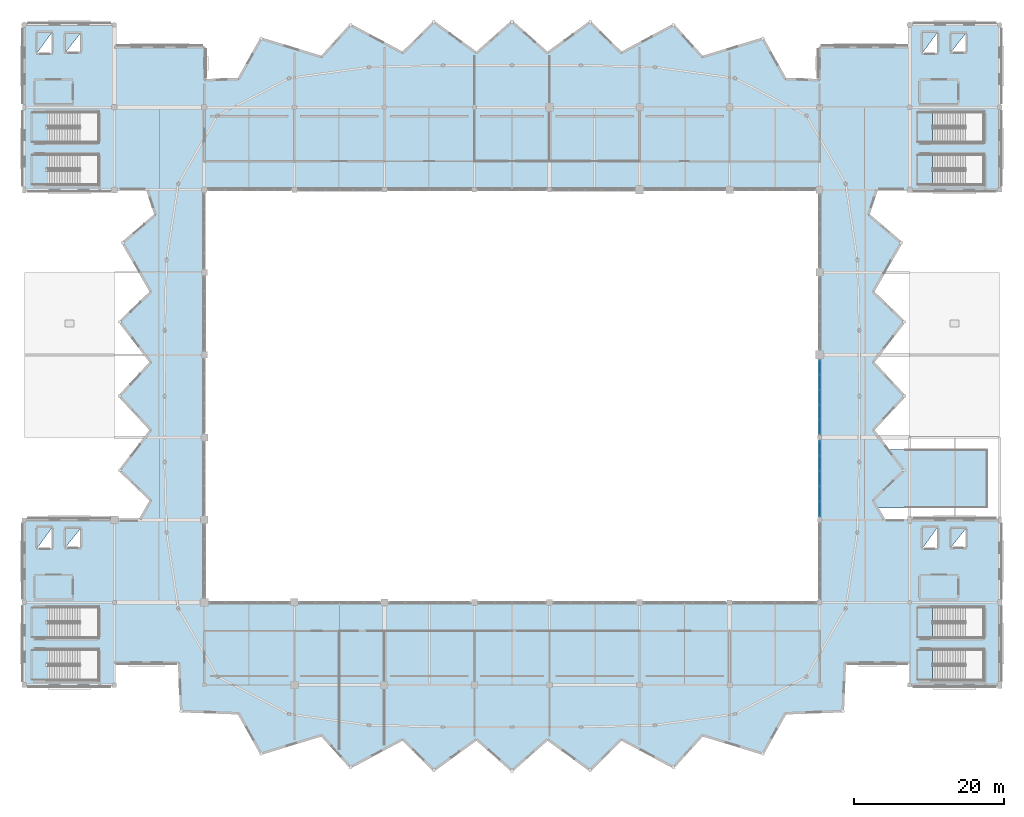
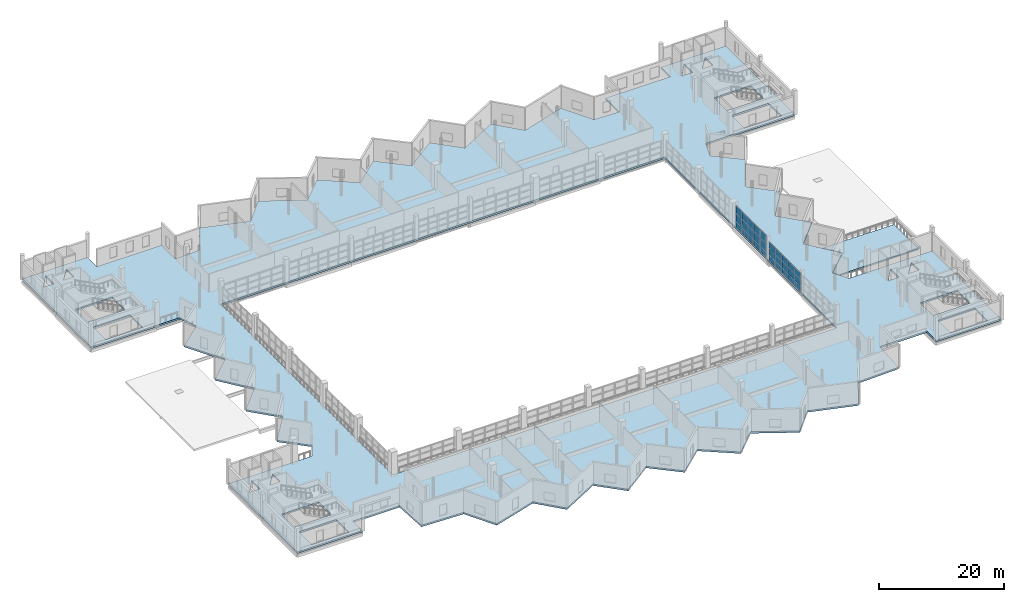
# One storey, part 31 of 53: 30 plates, 2 slabs, 2 elements without a shape of their own.
"""IFC4 building model written with IfcOpenShell, lengths in metres."""

from ifc_helpers import new_model, si_unit, direction, frame, origin, origin_2d, place, context, subcontext, project, spatial, polyline, rectangle, outline, extrude, material, layer, layer_set, type_object, element, aggregate, save


model = new_model("IFC4")

# Units and contexts
model_context = context("Model", 3, precision=1e-05, world=origin(), true_north=direction((0.0, 1.0)))
body_context = subcontext(model_context, "Body", "Model", "MODEL_VIEW")
ifc_project = project(units=[si_unit("LENGTHUNIT", "METRE"), si_unit("AREAUNIT", "SQUARE_METRE"), si_unit("VOLUMEUNIT", "CUBIC_METRE"), si_unit("PLANEANGLEUNIT", "RADIAN"), si_unit("MASSUNIT", "GRAM", prefix="KILO")], contexts=[model_context])

# Site, building, storey
site_placement = place(None, origin())
site = spatial("IfcSite", under=ifc_project, at=site_placement, CompositionType="ELEMENT")
building_placement = place(site_placement, origin())
building = spatial("IfcBuilding", under=site, at=building_placement, Name="Luwafu Chhajja Arena", CompositionType="ELEMENT")
storey_placement = place(building_placement, frame((0.0, 0.0, 19.5)))
storey = spatial("IfcBuildingStorey", under=building, at=storey_placement, Name="L04", CompositionType="ELEMENT", Elevation=19.5)

# Curtain wall, plates
ifc_material_1 = material(Name="Anodised bronze aluminium", Category="aluminium")
curtain_wall_type = type_object("IfcCurtainWallType", Name="Media Ribbon Curtain Wall", PredefinedType="USERDEFINED", material=ifc_material_1)
curtain_wall_1_placement = place(storey_placement, origin())
curtain_wall_1 = element("IfcCurtainWall", 1, at=curtain_wall_1_placement, inside=storey, type_object=curtain_wall_type, Name="L04 Bowl Viewing Curtain Wall CWR-L04-21", ObjectType="CURTAIN WALL", PredefinedType="USERDEFINED")
ifc_material_2 = material(Name="Solar-control laminated glass", Category="glass")
ifc_layer_1 = layer(ifc_material_2, 0.035888671875, Name="Solar-control laminated glass")
ifc_layer_set_1 = layer_set([ifc_layer_1], Name="Solar-control laminated glass")
plate_type = type_object("IfcPlateType", Name="Acoustic Broadcast Double Glazed CW Panel 36", PredefinedType="CURTAIN_PANEL", material=ifc_layer_set_1)
plate_1_placement = place(storey_placement, frame((140.0, 34.471923828125, 0.070068359375), z_axis=(0.0, 0.0, 1.0), x_axis=(0.0, 1.0, 0.0)))
plate_1 = element("IfcPlate", 2, at=plate_1_placement, type_object=plate_type, Name="CW-03 panel 1.1", PredefinedType="CURTAIN_PANEL", context=body_context, shape_type="SweptSolid", body=[
    extrude(rectangle(XDim=1.924072265625, YDim=0.035888671875, at=origin_2d()), origin(), (0.0, 0.0, 1.0), 1.044921875),
])
plate_2_placement = place(storey_placement, frame((140.0, 34.471923828125, 1.18505859375), z_axis=(0.0, 0.0, 1.0), x_axis=(0.0, 1.0, 0.0)))
plate_2 = element("IfcPlate", 3, at=plate_2_placement, type_object=plate_type, Name="CW-03 panel 1.2", PredefinedType="CURTAIN_PANEL", context=body_context, shape_type="SweptSolid", body=[
    extrude(rectangle(XDim=1.924072265625, YDim=0.035888671875, at=origin_2d()), origin(), (0.0, 0.0, 1.0), 1.25),
])
plate_3_placement = place(storey_placement, frame((140.0, 34.471923828125, 2.5048828125), z_axis=(0.0, 0.0, 1.0), x_axis=(0.0, 1.0, 0.0)))
plate_3 = element("IfcPlate", 4, at=plate_3_placement, type_object=plate_type, Name="CW-03 panel 1.3", PredefinedType="CURTAIN_PANEL", context=body_context, shape_type="SweptSolid", body=[
    extrude(rectangle(XDim=1.924072265625, YDim=0.035888671875, at=origin_2d()), origin(), (0.0, 0.0, 1.0), 1.215087890625),
])
plate_4_placement = place(storey_placement, frame((140.0, 36.4833984375, 0.070068359375), z_axis=(0.0, 0.0, 1.0), x_axis=(0.0, 1.0, 0.0)))
plate_4 = element("IfcPlate", 5, at=plate_4_placement, type_object=plate_type, Name="CW-03 panel 2.1", PredefinedType="CURTAIN_PANEL", context=body_context, shape_type="SweptSolid", body=[
    extrude(rectangle(XDim=1.958984375, YDim=0.035888671875, at=origin_2d()), origin(), (0.0, 0.0, 1.0), 1.044921875),
])
plate_5_placement = place(storey_placement, frame((140.0, 36.4833984375, 1.18505859375), z_axis=(0.0, 0.0, 1.0), x_axis=(0.0, 1.0, 0.0)))
plate_5 = element("IfcPlate", 6, at=plate_5_placement, type_object=plate_type, Name="CW-03 panel 2.2", PredefinedType="CURTAIN_PANEL", context=body_context, shape_type="SweptSolid", body=[
    extrude(rectangle(XDim=1.958984375, YDim=0.035888671875, at=origin_2d()), origin(), (0.0, 0.0, 1.0), 1.25),
])
plate_6_placement = place(storey_placement, frame((140.0, 36.4833984375, 2.5048828125), z_axis=(0.0, 0.0, 1.0), x_axis=(0.0, 1.0, 0.0)))
plate_6 = element("IfcPlate", 7, at=plate_6_placement, type_object=plate_type, Name="CW-03 panel 2.3", PredefinedType="CURTAIN_PANEL", context=body_context, shape_type="SweptSolid", body=[
    extrude(rectangle(XDim=1.958984375, YDim=0.035888671875, at=origin_2d()), origin(), (0.0, 0.0, 1.0), 1.215087890625),
])
plate_7_placement = place(storey_placement, frame((140.0, 38.512451171875, 0.070068359375), z_axis=(0.0, 0.0, 1.0), x_axis=(0.0, 1.0, 0.0)))
plate_7 = element("IfcPlate", 8, at=plate_7_placement, type_object=plate_type, Name="CW-03 panel 3.1", PredefinedType="CURTAIN_PANEL", context=body_context, shape_type="SweptSolid", body=[
    extrude(rectangle(XDim=1.958984375, YDim=0.035888671875, at=origin_2d()), origin(), (0.0, 0.0, 1.0), 1.044921875),
])
plate_8_placement = place(storey_placement, frame((140.0, 38.512451171875, 1.18505859375), z_axis=(0.0, 0.0, 1.0), x_axis=(0.0, 1.0, 0.0)))
plate_8 = element("IfcPlate", 9, at=plate_8_placement, type_object=plate_type, Name="CW-03 panel 3.2", PredefinedType="CURTAIN_PANEL", context=body_context, shape_type="SweptSolid", body=[
    extrude(rectangle(XDim=1.958984375, YDim=0.035888671875, at=origin_2d()), origin(), (0.0, 0.0, 1.0), 1.25),
])
plate_9_placement = place(storey_placement, frame((140.0, 38.512451171875, 2.5048828125), z_axis=(0.0, 0.0, 1.0), x_axis=(0.0, 1.0, 0.0)))
plate_9 = element("IfcPlate", 10, at=plate_9_placement, type_object=plate_type, Name="CW-03 panel 3.3", PredefinedType="CURTAIN_PANEL", context=body_context, shape_type="SweptSolid", body=[
    extrude(rectangle(XDim=1.958984375, YDim=0.035888671875, at=origin_2d()), origin(), (0.0, 0.0, 1.0), 1.215087890625),
])
plate_10_placement = place(storey_placement, frame((140.0, 40.54150390625, 0.070068359375), z_axis=(0.0, 0.0, 1.0), x_axis=(0.0, 1.0, 0.0)))
plate_10 = element("IfcPlate", 11, at=plate_10_placement, type_object=plate_type, Name="CW-03 panel 4.1", PredefinedType="CURTAIN_PANEL", context=body_context, shape_type="SweptSolid", body=[
    extrude(rectangle(XDim=1.958984375, YDim=0.035888671875, at=origin_2d()), origin(), (0.0, 0.0, 1.0), 1.044921875),
])
plate_11_placement = place(storey_placement, frame((140.0, 40.54150390625, 1.18505859375), z_axis=(0.0, 0.0, 1.0), x_axis=(0.0, 1.0, 0.0)))
plate_11 = element("IfcPlate", 12, at=plate_11_placement, type_object=plate_type, Name="CW-03 panel 4.2", PredefinedType="CURTAIN_PANEL", context=body_context, shape_type="SweptSolid", body=[
    extrude(rectangle(XDim=1.958984375, YDim=0.035888671875, at=origin_2d()), origin(), (0.0, 0.0, 1.0), 1.25),
])
plate_12_placement = place(storey_placement, frame((140.0, 40.54150390625, 2.5048828125), z_axis=(0.0, 0.0, 1.0), x_axis=(0.0, 1.0, 0.0)))
plate_12 = element("IfcPlate", 13, at=plate_12_placement, type_object=plate_type, Name="CW-03 panel 4.3", PredefinedType="CURTAIN_PANEL", context=body_context, shape_type="SweptSolid", body=[
    extrude(rectangle(XDim=1.958984375, YDim=0.035888671875, at=origin_2d()), origin(), (0.0, 0.0, 1.0), 1.215087890625),
])
plate_13_placement = place(storey_placement, frame((140.0, 42.552978515625, 0.070068359375), z_axis=(0.0, 0.0, 1.0), x_axis=(0.0, 1.0, 0.0)))
plate_13 = element("IfcPlate", 14, at=plate_13_placement, type_object=plate_type, Name="CW-03 panel 5.1", PredefinedType="CURTAIN_PANEL", context=body_context, shape_type="SweptSolid", body=[
    extrude(rectangle(XDim=1.924072265625, YDim=0.035888671875, at=origin_2d()), origin(), (0.0, 0.0, 1.0), 1.044921875),
])
plate_14_placement = place(storey_placement, frame((140.0, 42.552978515625, 1.18505859375), z_axis=(0.0, 0.0, 1.0), x_axis=(0.0, 1.0, 0.0)))
plate_14 = element("IfcPlate", 15, at=plate_14_placement, type_object=plate_type, Name="CW-03 panel 5.2", PredefinedType="CURTAIN_PANEL", context=body_context, shape_type="SweptSolid", body=[
    extrude(rectangle(XDim=1.924072265625, YDim=0.035888671875, at=origin_2d()), origin(), (0.0, 0.0, 1.0), 1.25),
])
plate_15_placement = place(storey_placement, frame((140.0, 42.552978515625, 2.5048828125), z_axis=(0.0, 0.0, 1.0), x_axis=(0.0, 1.0, 0.0)))
plate_15 = element("IfcPlate", 16, at=plate_15_placement, type_object=plate_type, Name="CW-03 panel 5.3", PredefinedType="CURTAIN_PANEL", context=body_context, shape_type="SweptSolid", body=[
    extrude(rectangle(XDim=1.924072265625, YDim=0.035888671875, at=origin_2d()), origin(), (0.0, 0.0, 1.0), 1.215087890625),
])
aggregate(curtain_wall_1, [plate_1, plate_2, plate_3, plate_4, plate_5, plate_6, plate_7, plate_8, plate_9, plate_10, plate_11, plate_12, plate_13, plate_14, plate_15])

curtain_wall_2_placement = place(storey_placement, origin())
curtain_wall_2 = element("IfcCurtainWall", 17, at=curtain_wall_2_placement, inside=storey, type_object=curtain_wall_type, Name="L04 Bowl Viewing Curtain Wall CWR-L04-22", ObjectType="CURTAIN WALL", PredefinedType="USERDEFINED")
plate_16_placement = place(storey_placement, frame((140.0, 45.422119140625, 0.070068359375), z_axis=(0.0, 0.0, 1.0), x_axis=(0.0, 1.0, 0.0)))
plate_16 = element("IfcPlate", 18, at=plate_16_placement, type_object=plate_type, Name="CW-03 panel 1.1", PredefinedType="CURTAIN_PANEL", context=body_context, shape_type="SweptSolid", body=[
    extrude(rectangle(XDim=1.8740234375, YDim=0.035888671875, at=origin_2d()), origin(), (0.0, 0.0, 1.0), 1.044921875),
])
plate_17_placement = place(storey_placement, frame((140.0, 45.422119140625, 1.18505859375), z_axis=(0.0, 0.0, 1.0), x_axis=(0.0, 1.0, 0.0)))
plate_17 = element("IfcPlate", 19, at=plate_17_placement, type_object=plate_type, Name="CW-03 panel 1.2", PredefinedType="CURTAIN_PANEL", context=body_context, shape_type="SweptSolid", body=[
    extrude(rectangle(XDim=1.8740234375, YDim=0.035888671875, at=origin_2d()), origin(), (0.0, 0.0, 1.0), 1.5849609375),
])
plate_18_placement = place(storey_placement, frame((140.0, 45.422119140625, 2.83984375), z_axis=(0.0, 0.0, 1.0), x_axis=(0.0, 1.0, 0.0)))
plate_18 = element("IfcPlate", 20, at=plate_18_placement, type_object=plate_type, Name="CW-03 panel 1.3", PredefinedType="CURTAIN_PANEL", context=body_context, shape_type="SweptSolid", body=[
    extrude(rectangle(XDim=1.8740234375, YDim=0.035888671875, at=origin_2d()), origin(), (0.0, 0.0, 1.0), 1.550048828125),
])
plate_19_placement = place(storey_placement, frame((140.0, 47.383544921875, 0.070068359375), z_axis=(0.0, 0.0, 1.0), x_axis=(0.0, 1.0, 0.0)))
plate_19 = element("IfcPlate", 21, at=plate_19_placement, type_object=plate_type, Name="CW-03 panel 2.1", PredefinedType="CURTAIN_PANEL", context=body_context, shape_type="SweptSolid", body=[
    extrude(rectangle(XDim=1.908935546875, YDim=0.035888671875, at=origin_2d()), origin(), (0.0, 0.0, 1.0), 1.044921875),
])
plate_20_placement = place(storey_placement, frame((140.0, 47.383544921875, 1.18505859375), z_axis=(0.0, 0.0, 1.0), x_axis=(0.0, 1.0, 0.0)))
plate_20 = element("IfcPlate", 22, at=plate_20_placement, type_object=plate_type, Name="CW-03 panel 2.2", PredefinedType="CURTAIN_PANEL", context=body_context, shape_type="SweptSolid", body=[
    extrude(rectangle(XDim=1.908935546875, YDim=0.035888671875, at=origin_2d()), origin(), (0.0, 0.0, 1.0), 1.5849609375),
])
plate_21_placement = place(storey_placement, frame((140.0, 47.383544921875, 2.83984375), z_axis=(0.0, 0.0, 1.0), x_axis=(0.0, 1.0, 0.0)))
plate_21 = element("IfcPlate", 23, at=plate_21_placement, type_object=plate_type, Name="CW-03 panel 2.3", PredefinedType="CURTAIN_PANEL", context=body_context, shape_type="SweptSolid", body=[
    extrude(rectangle(XDim=1.908935546875, YDim=0.035888671875, at=origin_2d()), origin(), (0.0, 0.0, 1.0), 1.550048828125),
])
plate_22_placement = place(storey_placement, frame((140.0, 49.362548828125, 0.070068359375), z_axis=(0.0, 0.0, 1.0), x_axis=(0.0, 1.0, 0.0)))
plate_22 = element("IfcPlate", 24, at=plate_22_placement, type_object=plate_type, Name="CW-03 panel 3.1", PredefinedType="CURTAIN_PANEL", context=body_context, shape_type="SweptSolid", body=[
    extrude(rectangle(XDim=1.908935546875, YDim=0.035888671875, at=origin_2d()), origin(), (0.0, 0.0, 1.0), 1.044921875),
])
plate_23_placement = place(storey_placement, frame((140.0, 49.362548828125, 1.18505859375), z_axis=(0.0, 0.0, 1.0), x_axis=(0.0, 1.0, 0.0)))
plate_23 = element("IfcPlate", 25, at=plate_23_placement, type_object=plate_type, Name="CW-03 panel 3.2", PredefinedType="CURTAIN_PANEL", context=body_context, shape_type="SweptSolid", body=[
    extrude(rectangle(XDim=1.908935546875, YDim=0.035888671875, at=origin_2d()), origin(), (0.0, 0.0, 1.0), 1.5849609375),
])
plate_24_placement = place(storey_placement, frame((140.0, 49.362548828125, 2.83984375), z_axis=(0.0, 0.0, 1.0), x_axis=(0.0, 1.0, 0.0)))
plate_24 = element("IfcPlate", 26, at=plate_24_placement, type_object=plate_type, Name="CW-03 panel 3.3", PredefinedType="CURTAIN_PANEL", context=body_context, shape_type="SweptSolid", body=[
    extrude(rectangle(XDim=1.908935546875, YDim=0.035888671875, at=origin_2d()), origin(), (0.0, 0.0, 1.0), 1.550048828125),
])
plate_25_placement = place(storey_placement, frame((140.0, 51.341552734375, 0.070068359375), z_axis=(0.0, 0.0, 1.0), x_axis=(0.0, 1.0, 0.0)))
plate_25 = element("IfcPlate", 27, at=plate_25_placement, type_object=plate_type, Name="CW-03 panel 4.1", PredefinedType="CURTAIN_PANEL", context=body_context, shape_type="SweptSolid", body=[
    extrude(rectangle(XDim=1.908935546875, YDim=0.035888671875, at=origin_2d()), origin(), (0.0, 0.0, 1.0), 1.044921875),
])
plate_26_placement = place(storey_placement, frame((140.0, 51.341552734375, 1.18505859375), z_axis=(0.0, 0.0, 1.0), x_axis=(0.0, 1.0, 0.0)))
plate_26 = element("IfcPlate", 28, at=plate_26_placement, type_object=plate_type, Name="CW-03 panel 4.2", PredefinedType="CURTAIN_PANEL", context=body_context, shape_type="SweptSolid", body=[
    extrude(rectangle(XDim=1.908935546875, YDim=0.035888671875, at=origin_2d()), origin(), (0.0, 0.0, 1.0), 1.5849609375),
])
plate_27_placement = place(storey_placement, frame((140.0, 51.341552734375, 2.83984375), z_axis=(0.0, 0.0, 1.0), x_axis=(0.0, 1.0, 0.0)))
plate_27 = element("IfcPlate", 29, at=plate_27_placement, type_object=plate_type, Name="CW-03 panel 4.3", PredefinedType="CURTAIN_PANEL", context=body_context, shape_type="SweptSolid", body=[
    extrude(rectangle(XDim=1.908935546875, YDim=0.035888671875, at=origin_2d()), origin(), (0.0, 0.0, 1.0), 1.550048828125),
])
plate_28_placement = place(storey_placement, frame((140.0, 53.302978515625, 0.070068359375), z_axis=(0.0, 0.0, 1.0), x_axis=(0.0, 1.0, 0.0)))
plate_28 = element("IfcPlate", 30, at=plate_28_placement, type_object=plate_type, Name="CW-03 panel 5.1", PredefinedType="CURTAIN_PANEL", context=body_context, shape_type="SweptSolid", body=[
    extrude(rectangle(XDim=1.8740234375, YDim=0.035888671875, at=origin_2d()), origin(), (0.0, 0.0, 1.0), 1.044921875),
])
plate_29_placement = place(storey_placement, frame((140.0, 53.302978515625, 1.18505859375), z_axis=(0.0, 0.0, 1.0), x_axis=(0.0, 1.0, 0.0)))
plate_29 = element("IfcPlate", 31, at=plate_29_placement, type_object=plate_type, Name="CW-03 panel 5.2", PredefinedType="CURTAIN_PANEL", context=body_context, shape_type="SweptSolid", body=[
    extrude(rectangle(XDim=1.8740234375, YDim=0.035888671875, at=origin_2d()), origin(), (0.0, 0.0, 1.0), 1.5849609375),
])
plate_30_placement = place(storey_placement, frame((140.0, 53.302978515625, 2.83984375), z_axis=(0.0, 0.0, 1.0), x_axis=(0.0, 1.0, 0.0)))
plate_30 = element("IfcPlate", 32, at=plate_30_placement, type_object=plate_type, Name="CW-03 panel 5.3", PredefinedType="CURTAIN_PANEL", context=body_context, shape_type="SweptSolid", body=[
    extrude(rectangle(XDim=1.8740234375, YDim=0.035888671875, at=origin_2d()), origin(), (0.0, 0.0, 1.0), 1.550048828125),
])
aggregate(curtain_wall_2, [plate_16, plate_17, plate_18, plate_19, plate_20, plate_21, plate_22, plate_23, plate_24, plate_25, plate_26, plate_27, plate_28, plate_29, plate_30])

# Slabs
ifc_material_3 = material(Name="Concrete C35/45", Category="concrete")
ifc_layer_2 = layer(ifc_material_3, 0.27001953125, Name="Concrete C35/45")
ifc_layer_set_2 = layer_set([ifc_layer_2], Name="Concrete C35/45")
slab_type_1 = type_object("IfcSlabType", Name="External Viewing Terrace Slab 270", PredefinedType="FLOOR", material=ifc_layer_set_2)
slab_1_placement = place(storey_placement, frame((0.0, 0.0, -0.27001953125)))
element("IfcSlab", 33, at=slab_1_placement, inside=storey, type_object=slab_type_1, Name="L04 Charbagh Overlook Terrace", PredefinedType="FLOOR", context=body_context, shape_type="SweptSolid", body=[
    extrude(outline(polyline([(162.39990234375, 42.39990234375), (162.39990234375, 34.60009765625), (147.69091796875, 34.60009765625), (147.115966796875, 35.60400390625), (151.259033203125, 39.60107421875), (149.112060546875, 42.39990234375), (162.39990234375, 42.39990234375)])), origin(), (0.0, 0.0, 1.0), 0.27001953125),
])
ifc_layer_3 = layer(ifc_material_3, 0.320068359375, Name="Concrete C35/45")
ifc_layer_set_3 = layer_set([ifc_layer_3], Name="Concrete C35/45")
slab_type_2 = type_object("IfcSlabType", Name="Media and Broadcast Floor Slab 320", PredefinedType="FLOOR", material=ifc_layer_set_3)
slab_2_placement = place(storey_placement, frame((0.0, 0.0, -0.320068359375)))
element("IfcSlab", 34, at=slab_2_placement, inside=storey, type_object=slab_type_2, Name="L04 Structural Floor Slab 1", PredefinedType="FLOOR", context=body_context, shape_type="SweptSolid", body=[
    extrude(outline(polyline([(46.0, 96.0), (58.0, 96.0), (58.0, 91.592041015625), (62.573974609375, 91.762939453125), (65.572998046875, 97.135986328125), (73.635986328125, 94.68408203125), (77.489013671875, 98.948974609375), (84.43310546875, 95.22412109375), (88.587890625, 99.343017578125), (94.27197265625, 95.2099609375), (99.0, 99.39990234375), (103.72802734375, 95.2099609375), (109.412109375, 99.343017578125), (113.56689453125, 95.22412109375), (120.510986328125, 98.948974609375), (124.364013671875, 94.68408203125), (132.427978515625, 97.135986328125), (135.426025390625, 91.762939453125), (140.0, 91.592041015625), (140.0, 96.0), (152.0, 96.0), (152.0, 99.0), (164.0, 99.0), (164.0, 77.0), (147.587890625, 77.0), (146.50390625, 73.677978515625), (150.863037109375, 69.955078125), (147.10302734375, 63.39404296875), (151.25, 59.39599609375), (147.10791015625, 54.011962890625), (151.300048828125, 49.5), (147.10791015625, 44.988037109375), (151.25, 39.60400390625), (147.10302734375, 35.60595703125), (148.595947265625, 33.0), (164.0, 33.0), (164.0, 11.0), (152.0, 11.0), (152.0, 14.0), (143.365966796875, 14.0), (143.083984375, 7.52392578125), (135.426025390625, 7.237060546875), (132.427978515625, 1.864013671875), (124.364013671875, 4.31591796875), (120.510986328125, 0.051025390625), (113.56689453125, 3.77587890625), (109.412109375, -0.343017578125), (103.72802734375, 3.7900390625), (99.0, -0.39990234375), (94.27197265625, 3.7900390625), (88.587890625, -0.343017578125), (84.43310546875, 3.77587890625), (77.489013671875, 0.051025390625), (73.635986328125, 4.31591796875), (65.572998046875, 1.864013671875), (62.573974609375, 7.237060546875), (54.916015625, 7.52392578125), (54.634033203125, 14.0), (46.0, 14.0), (46.0, 11.0), (34.0, 11.0), (34.0, 33.0), (49.404052734375, 33.0), (50.89697265625, 35.60595703125), (46.75, 39.60400390625), (50.89208984375, 44.988037109375), (46.699951171875, 49.5), (50.89208984375, 54.011962890625), (46.75, 59.39599609375), (50.89697265625, 63.39404296875), (47.136962890625, 69.955078125), (51.49609375, 73.677978515625), (50.412109375, 77.0), (34.0, 77.0), (34.0, 99.0), (46.0, 99.0), (46.0, 96.0)]), holes=[polyline([(161.89990234375, 83.31005859375), (161.89990234375, 87.35009765625), (155.06494140625, 87.35009765625), (155.06494140625, 83.31005859375), (161.89990234375, 83.31005859375)]), polyline([(161.89990234375, 81.68994140625), (155.06494140625, 81.68994140625), (155.06494140625, 77.64990234375), (161.89990234375, 77.64990234375), (161.89990234375, 81.68994140625)]), polyline([(161.89990234375, 17.31005859375), (161.89990234375, 21.35009765625), (155.06494140625, 21.35009765625), (155.06494140625, 17.31005859375), (161.89990234375, 17.31005859375)]), polyline([(161.89990234375, 15.68994140625), (155.06494140625, 15.68994140625), (155.06494140625, 11.64990234375), (161.89990234375, 11.64990234375), (161.89990234375, 15.68994140625)]), polyline([(159.469970703125, 95.3798828125), (159.469970703125, 97.820068359375), (157.530029296875, 95.3798828125), (159.469970703125, 95.3798828125)]), polyline([(159.469970703125, 31.820068359375), (157.530029296875, 29.3798828125), (159.469970703125, 29.3798828125), (159.469970703125, 31.820068359375)]), polyline([(155.669921875, 97.945068359375), (153.72998046875, 95.2548828125), (155.669921875, 95.2548828125), (155.669921875, 97.945068359375)]), polyline([(153.72998046875, 29.2548828125), (155.669921875, 29.2548828125), (155.669921875, 31.945068359375), (153.72998046875, 29.2548828125)]), polyline([(58.0, 77.0), (58.0, 22.0), (140.0, 22.0), (140.0, 77.0), (58.0, 77.0)]), polyline([(37.06494140625, 11.64990234375), (43.89990234375, 11.64990234375), (43.89990234375, 15.68994140625), (37.06494140625, 15.68994140625), (37.06494140625, 11.64990234375)]), polyline([(37.06494140625, 87.35009765625), (37.06494140625, 83.31005859375), (43.89990234375, 83.31005859375), (43.89990234375, 87.35009765625), (37.06494140625, 87.35009765625)]), polyline([(37.06494140625, 77.64990234375), (43.89990234375, 77.64990234375), (43.89990234375, 81.68994140625), (37.06494140625, 81.68994140625), (37.06494140625, 77.64990234375)]), polyline([(37.06494140625, 21.35009765625), (37.06494140625, 17.31005859375), (43.89990234375, 17.31005859375), (43.89990234375, 21.35009765625), (37.06494140625, 21.35009765625)]), polyline([(41.469970703125, 29.3798828125), (41.469970703125, 31.820068359375), (39.530029296875, 29.3798828125), (41.469970703125, 29.3798828125)]), polyline([(39.530029296875, 95.3798828125), (41.469970703125, 95.3798828125), (41.469970703125, 97.820068359375), (39.530029296875, 95.3798828125)]), polyline([(37.669921875, 95.2548828125), (37.669921875, 97.945068359375), (35.72998046875, 95.2548828125), (37.669921875, 95.2548828125)]), polyline([(37.669921875, 31.945068359375), (35.72998046875, 29.2548828125), (37.669921875, 29.2548828125), (37.669921875, 31.945068359375)])]), origin(), (0.0, 0.0, 1.0), 0.320068359375),
])

save(model, "model.ifc")
